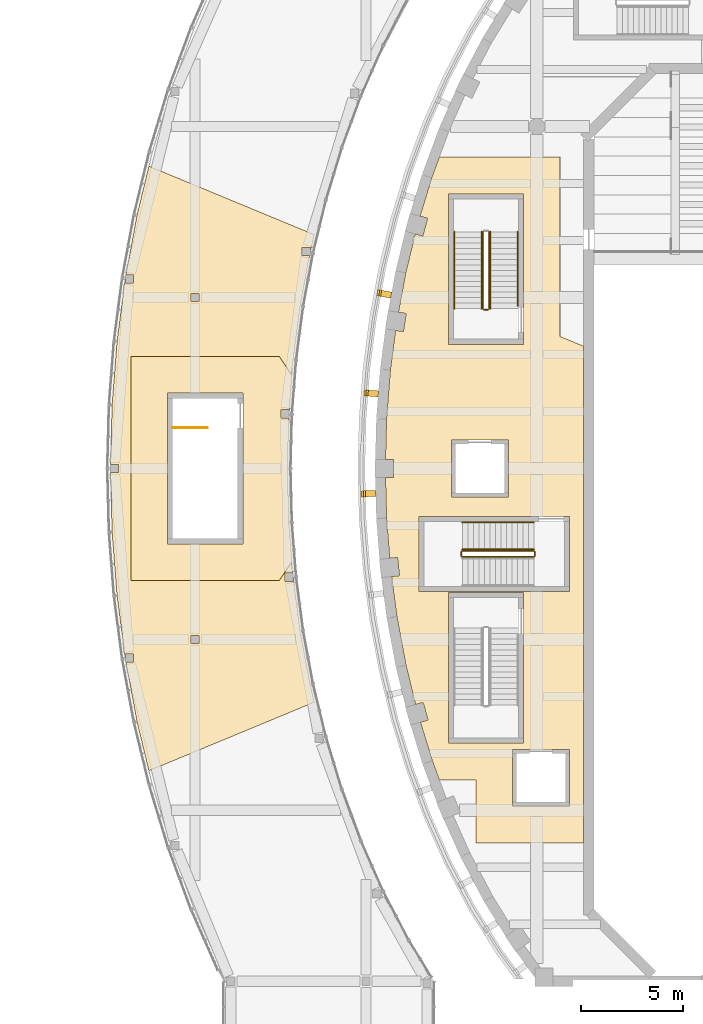
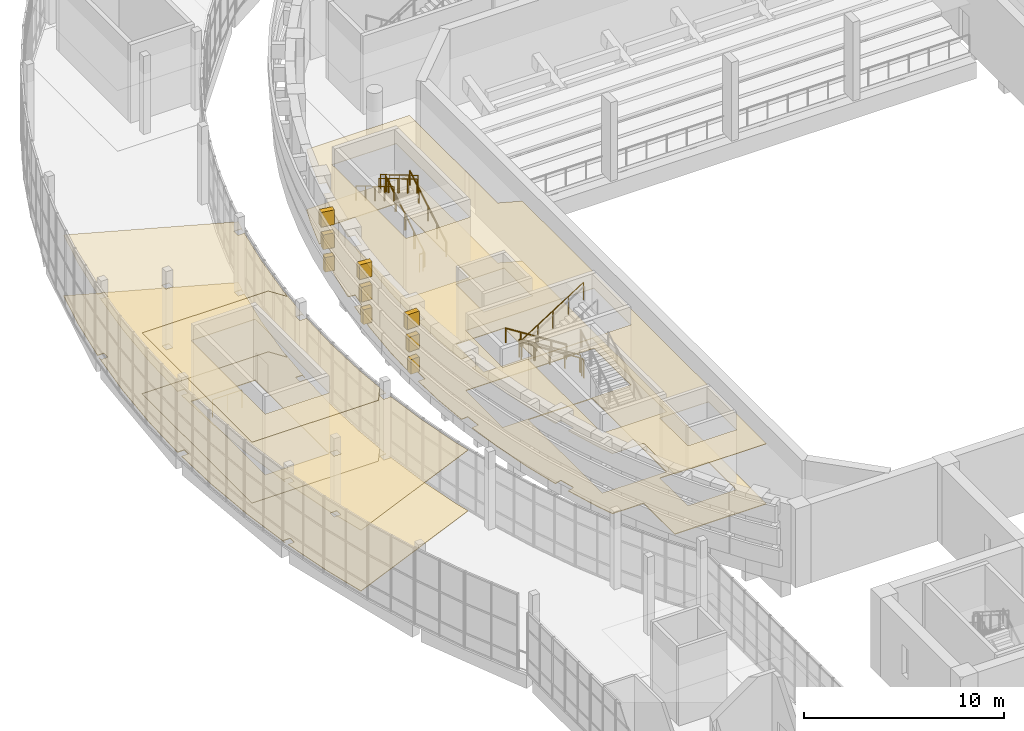
# One storey, part 88 of 103: 15 coverings, 14 railings.
"""IFC4 building model written with IfcOpenShell, lengths in metres."""

from ifc_helpers import new_model, si_unit, direction, frame, origin, origin_2d, place, context, subcontext, project, spatial, polyline, rectangle, circle, outline, extrude, material, layer, layer_set, type_object, element, save


model = new_model("IFC4")

# Units and contexts
model_context = context("Model", 3, precision=1e-05, world=origin(), true_north=direction((0.0, 1.0)))
body_context = subcontext(model_context, "Body", "Model", "MODEL_VIEW")
ifc_project = project(units=[si_unit("LENGTHUNIT", "METRE"), si_unit("AREAUNIT", "SQUARE_METRE"), si_unit("VOLUMEUNIT", "CUBIC_METRE"), si_unit("PLANEANGLEUNIT", "RADIAN"), si_unit("MASSUNIT", "GRAM", prefix="KILO")], contexts=[model_context])

# Site, building, storey
site_placement = place(None, origin())
site = spatial("IfcSite", under=ifc_project, at=site_placement, CompositionType="ELEMENT")
building_placement = place(site_placement, origin())
building = spatial("IfcBuilding", under=site, at=building_placement, Name="Larchfold Concert Hall", CompositionType="ELEMENT")
storey_placement = place(building_placement, frame((0.0, 0.0, 9.60009765625)))
storey = spatial("IfcBuildingStorey", under=building, at=storey_placement, Name="L02", CompositionType="ELEMENT", Elevation=9.60009765625)

# Coverings
ifc_material_1 = material(Name="Plasterboard ceiling lining")
ifc_layer_1 = layer(ifc_material_1, 0.030029296875)
ifc_layer_set_1 = layer_set([ifc_layer_1], Name="Plasterboard ceiling lining")
covering_type_1 = type_object("IfcCoveringType", Name="Ceiling suspended plasterboard 30", PredefinedType="CEILING", material=ifc_layer_set_1)
covering_1_placement = place(storey_placement, frame((0.0, 0.0, 3.669921875)))
element("IfcCovering", 1, at=covering_1_placement, inside=storey, type_object=covering_type_1, Name="Ceiling Hall Foyer West", PredefinedType="CEILING", context=body_context, shape_type="SweptSolid", body=[
    extrude(outline(polyline([(18.413330078125, 82.164794921875), (18.568359375, 80.18505859375), (18.954345703125, 80.225341796875), (19.048095703125, 79.330322265625), (18.662109375, 79.289794921875), (18.92138671875, 77.321533203125), (19.36767578125, 74.9306640625), (19.839599609375, 72.99951171875), (20.212890625, 73.101806640625), (20.451171875, 72.234130859375), (20.078125, 72.131591796875), (20.658447265625, 70.23486328125), (21.005859375, 69.301025390625), (22.7919921875, 69.301025390625), (22.79931640625, 69.296630859375), (22.801025390625, 66.200927734375), (28.10009765625, 66.200927734375), (28.10009765625, 90.60595703125), (26.954833984375, 91.08056640625), (26.948974609375, 91.088623046875), (26.948974609375, 99.899169921875), (21.006103515625, 99.899169921875), (20.629638671875, 98.88037109375), (20.057373046875, 96.996337890625), (20.4306640625, 96.89453125), (20.19384765625, 96.0263671875), (19.8203125, 96.128173828125), (19.355712890625, 94.21435546875), (18.996337890625, 92.276611328125), (19.37939453125, 92.216064453125), (19.239013671875, 91.3271484375), (18.85595703125, 91.3876953125), (18.600341796875, 89.433837890625), (18.41259765625, 87.020263671875), (18.36181640625, 85.050048828125), (18.75, 85.050048828125), (18.75, 84.150146484375), (18.36181640625, 84.150146484375), (18.413330078125, 82.164794921875)]), holes=[polyline([(20.0, 78.550048828125), (20.0, 82.25), (27.39990234375, 82.25), (27.39990234375, 78.550048828125), (20.0, 78.550048828125)]), polyline([(24.60009765625, 68.0), (24.60009765625, 70.800048828125), (27.39990234375, 70.800048828125), (27.39990234375, 68.0), (24.60009765625, 68.0)]), polyline([(21.449951171875, 71.10009765625), (21.449951171875, 78.5), (25.14990234375, 78.5), (25.14990234375, 71.10009765625), (21.449951171875, 71.10009765625)]), polyline([(21.449951171875, 90.699951171875), (21.449951171875, 98.10009765625), (25.14990234375, 98.10009765625), (25.14990234375, 90.699951171875), (21.449951171875, 90.699951171875)]), polyline([(21.60009765625, 83.199951171875), (21.60009765625, 86.0), (24.39990234375, 86.0), (24.39990234375, 83.199951171875), (21.60009765625, 83.199951171875)])]), origin(), (0.0, 0.0, 1.0), 0.030029296875),
])
covering_2_placement = place(storey_placement, frame((0.0, 0.0, 3.719970703125)))
element("IfcCovering", 2, at=covering_2_placement, inside=storey, type_object=covering_type_1, Name="Ceiling Winter Garden Foyer West", PredefinedType="CEILING", context=body_context, shape_type="SweptSolid", body=[
    extrude(outline(polyline([(5.168212890625, 78.366455078125), (5.572998046875, 75.2734375), (5.572998046875, 75.489990234375), (5.972900390625, 75.489990234375), (5.972900390625, 75.090087890625), (5.606201171875, 75.090087890625), (6.1494140625, 72.16064453125), (6.736572265625, 69.742919921875), (14.870849609375, 73.1142578125), (14.66015625, 73.9814453125), (14.17138671875, 76.616455078125), (13.824951171875, 79.269775390625), (13.824951171875, 79.05712890625), (13.425048828125, 79.05712890625), (13.425048828125, 79.45703125), (13.800537109375, 79.45703125), (13.732177734375, 79.980712890625), (13.14111328125, 79.099853515625), (5.8505859375, 79.10595703125), (5.8505859375, 90.093994140625), (13.14111328125, 90.10009765625), (13.732177734375, 89.219482421875), (14.17138671875, 92.583740234375), (14.632568359375, 95.070068359375), (14.26708984375, 95.070068359375), (14.26708984375, 95.469970703125), (14.6669921875, 95.469970703125), (14.6669921875, 95.2470703125), (14.870849609375, 96.0859375), (6.736083984375, 99.455322265625), (6.1494140625, 97.03955078125), (5.606201171875, 94.11083984375), (5.972900390625, 94.11083984375), (5.972900390625, 93.7109375), (5.572998046875, 93.7109375), (5.572998046875, 93.9267578125), (5.168212890625, 90.833740234375), (4.92626953125, 87.71826171875), (4.850830078125, 84.800048828125), (5.245849609375, 84.800048828125), (5.245849609375, 84.400146484375), (4.850830078125, 84.400146484375), (4.92626953125, 81.48193359375), (5.168212890625, 78.366455078125)]), holes=[polyline([(9.199951171875, 76.0), (8.800048828125, 76.0), (8.800048828125, 76.39990234375), (9.199951171875, 76.39990234375), (9.199951171875, 76.0)]), polyline([(9.199951171875, 92.800048828125), (8.800048828125, 92.800048828125), (8.800048828125, 93.199951171875), (9.199951171875, 93.199951171875), (9.199951171875, 92.800048828125)])]), origin(), (0.0, 0.0, 1.0), 0.030029296875),
])
covering_3_placement = place(storey_placement, frame((0.0, 0.0, 3.719970703125)))
element("IfcCovering", 3, at=covering_3_placement, inside=storey, type_object=covering_type_1, Name="Ceiling Foyer 06", PredefinedType="CEILING", context=body_context, shape_type="SweptSolid", body=[
    extrude(outline(polyline([(5.850830078125, 90.09912109375), (5.850830078125, 79.100830078125), (13.149169921875, 79.100830078125), (13.732177734375, 79.980712890625), (13.77685546875, 79.66796875), (13.79345703125, 79.669677734375), (13.617431640625, 81.93115234375), (13.548583984375, 84.60009765625), (13.61279296875, 87.088134765625), (13.218017578125, 87.088134765625), (13.218017578125, 87.488037109375), (13.617919921875, 87.488037109375), (13.617919921875, 87.27587890625), (13.79345703125, 89.5302734375), (13.77685546875, 89.5322265625), (13.732177734375, 89.219482421875), (13.149169921875, 90.09912109375), (5.850830078125, 90.09912109375)]), holes=[polyline([(7.64990234375, 80.89990234375), (7.64990234375, 88.300048828125), (11.35009765625, 88.300048828125), (11.35009765625, 80.89990234375), (7.64990234375, 80.89990234375)])]), origin(), (0.0, 0.0, 1.0), 0.030029296875),
])
ifc_material_2 = material(Name="Polished terrazzo")
ifc_layer_2 = layer(ifc_material_2, 0.0400390625)
ifc_layer_set_2 = layer_set([ifc_layer_2], Name="Polished terrazzo")
covering_type_2 = type_object("IfcCoveringType", Name="Floor finish terrazzo 40", PredefinedType="FLOORING", material=ifc_layer_set_2)
covering_4_placement = place(storey_placement, origin())
element("IfcCovering", 4, at=covering_4_placement, inside=storey, type_object=covering_type_2, Name="Floor finish Hall Foyer West", PredefinedType="FLOORING", context=body_context, shape_type="SweptSolid", body=[
    extrude(outline(polyline([(18.413330078125, 82.164794921875), (18.568359375, 80.18505859375), (18.954345703125, 80.225341796875), (19.048095703125, 79.330322265625), (18.662109375, 79.289794921875), (18.92138671875, 77.321533203125), (19.36767578125, 74.9306640625), (19.839599609375, 72.99951171875), (20.212890625, 73.101806640625), (20.451171875, 72.234130859375), (20.078125, 72.131591796875), (20.658447265625, 70.23486328125), (21.005859375, 69.301025390625), (22.7919921875, 69.301025390625), (22.79931640625, 69.296630859375), (22.801025390625, 66.200927734375), (28.10009765625, 66.200927734375), (28.10009765625, 90.60595703125), (26.954833984375, 91.08056640625), (26.948974609375, 91.088623046875), (26.948974609375, 99.899169921875), (21.006103515625, 99.899169921875), (20.629638671875, 98.88037109375), (20.057373046875, 96.996337890625), (20.4306640625, 96.89453125), (20.19384765625, 96.0263671875), (19.8203125, 96.128173828125), (19.355712890625, 94.21435546875), (18.996337890625, 92.276611328125), (19.37939453125, 92.216064453125), (19.239013671875, 91.3271484375), (18.85595703125, 91.3876953125), (18.600341796875, 89.433837890625), (18.41259765625, 87.020263671875), (18.36181640625, 85.050048828125), (18.75, 85.050048828125), (18.75, 84.150146484375), (18.36181640625, 84.150146484375), (18.413330078125, 82.164794921875)]), holes=[polyline([(20.0, 78.550048828125), (20.0, 82.25), (27.39990234375, 82.25), (27.39990234375, 78.550048828125), (20.0, 78.550048828125)]), polyline([(24.60009765625, 68.0), (24.60009765625, 70.800048828125), (27.39990234375, 70.800048828125), (27.39990234375, 68.0), (24.60009765625, 68.0)]), polyline([(21.449951171875, 71.10009765625), (21.449951171875, 78.5), (25.14990234375, 78.5), (25.14990234375, 71.10009765625), (21.449951171875, 71.10009765625)]), polyline([(21.449951171875, 90.699951171875), (21.449951171875, 98.10009765625), (25.14990234375, 98.10009765625), (25.14990234375, 90.699951171875), (21.449951171875, 90.699951171875)]), polyline([(21.60009765625, 83.199951171875), (21.60009765625, 86.0), (24.39990234375, 86.0), (24.39990234375, 83.199951171875), (21.60009765625, 83.199951171875)])]), origin(), (0.0, 0.0, 1.0), 0.0400390625),
])
covering_5_placement = place(storey_placement, origin())
element("IfcCovering", 5, at=covering_5_placement, inside=storey, type_object=covering_type_2, Name="Floor finish Winter Garden Foyer West", PredefinedType="FLOORING", context=body_context, shape_type="SweptSolid", body=[
    extrude(outline(polyline([(5.168212890625, 78.366455078125), (5.572998046875, 75.2734375), (5.572998046875, 75.489990234375), (5.972900390625, 75.489990234375), (5.972900390625, 75.090087890625), (5.606201171875, 75.090087890625), (6.1494140625, 72.16064453125), (6.736572265625, 69.742919921875), (14.870849609375, 73.1142578125), (14.66015625, 73.9814453125), (14.17138671875, 76.616455078125), (13.824951171875, 79.269775390625), (13.824951171875, 79.05712890625), (13.425048828125, 79.05712890625), (13.425048828125, 79.45703125), (13.800537109375, 79.45703125), (13.732177734375, 79.980712890625), (13.14111328125, 79.099853515625), (5.8505859375, 79.10595703125), (5.8505859375, 90.093994140625), (13.14111328125, 90.10009765625), (13.732177734375, 89.219482421875), (14.17138671875, 92.583740234375), (14.632568359375, 95.070068359375), (14.26708984375, 95.070068359375), (14.26708984375, 95.469970703125), (14.6669921875, 95.469970703125), (14.6669921875, 95.2470703125), (14.870849609375, 96.0859375), (6.736083984375, 99.455322265625), (6.1494140625, 97.03955078125), (5.606201171875, 94.11083984375), (5.972900390625, 94.11083984375), (5.972900390625, 93.7109375), (5.572998046875, 93.7109375), (5.572998046875, 93.9267578125), (5.168212890625, 90.833740234375), (4.92626953125, 87.71826171875), (4.850830078125, 84.800048828125), (5.245849609375, 84.800048828125), (5.245849609375, 84.400146484375), (4.850830078125, 84.400146484375), (4.92626953125, 81.48193359375), (5.168212890625, 78.366455078125)]), holes=[polyline([(9.199951171875, 76.0), (8.800048828125, 76.0), (8.800048828125, 76.39990234375), (9.199951171875, 76.39990234375), (9.199951171875, 76.0)]), polyline([(9.199951171875, 92.800048828125), (8.800048828125, 92.800048828125), (8.800048828125, 93.199951171875), (9.199951171875, 93.199951171875), (9.199951171875, 92.800048828125)])]), origin(), (0.0, 0.0, 1.0), 0.0400390625),
])
covering_6_placement = place(storey_placement, origin())
element("IfcCovering", 6, at=covering_6_placement, inside=storey, type_object=covering_type_2, Name="Floor finish Foyer 06", PredefinedType="FLOORING", context=body_context, shape_type="SweptSolid", body=[
    extrude(outline(polyline([(5.850830078125, 90.09912109375), (5.850830078125, 79.100830078125), (13.149169921875, 79.100830078125), (13.732177734375, 79.980712890625), (13.77685546875, 79.66796875), (13.79345703125, 79.669677734375), (13.617431640625, 81.93115234375), (13.548583984375, 84.60009765625), (13.61279296875, 87.088134765625), (13.218017578125, 87.088134765625), (13.218017578125, 87.488037109375), (13.617919921875, 87.488037109375), (13.617919921875, 87.27587890625), (13.79345703125, 89.5302734375), (13.77685546875, 89.5322265625), (13.732177734375, 89.219482421875), (13.149169921875, 90.09912109375), (5.850830078125, 90.09912109375)]), holes=[polyline([(7.64990234375, 80.89990234375), (7.64990234375, 88.300048828125), (11.35009765625, 88.300048828125), (11.35009765625, 80.89990234375), (7.64990234375, 80.89990234375)])]), origin(), (0.0, 0.0, 1.0), 0.0400390625),
])
ifc_material_3 = material(Name="Galvanised steel bracket", Category="steel")
ifc_layer_3 = layer(ifc_material_3, 0.300048828125)
ifc_layer_set_3 = layer_set([ifc_layer_3], Name="Galvanised steel bracket")
covering_type_3 = type_object("IfcCoveringType", Name="Ring support bracket", PredefinedType="CLADDING", material=ifc_layer_set_3)
for number, where, z_axis, x_axis, name in (
    (7, (18.3974609375, 93.160888671875, 1.349853515625), (0.0, 0.0, 1.0), (-0.983231690727, 0.182360747833, 0.0), "Ring bracket BR-R03-18"),
    (8, (17.7587890625, 88.28515625, 1.349853515625), (0.0, 0.0, 1.0), (-0.996990162785, 0.077528158171, 0.0), "Ring bracket BR-R03-19"),
    (9, (17.632080078125, 83.363037109375, 1.349853515625), (0.0, 0.0, 1.0), (-0.999665014874, -0.025881615792, 0.0), "Ring bracket BR-R03-20"),
):
    element("IfcCovering", number, at=place(storey_placement, frame(where, z_axis=z_axis, x_axis=x_axis)), inside=storey, type_object=covering_type_3, Name=name, PredefinedType="CLADDING", context=body_context, shape_type="SweptSolid", body=[
        extrude(rectangle(XDim=0.5, YDim=0.300048828125, at=origin_2d()), origin(), (0.0, 0.0, 1.0), 0.89990234375),
    ])
for number, where, z_axis, x_axis, name in (
    (10, (18.348388671875, 93.169921875, 2.75), (0.0, 0.0, 1.0), (-0.983231690727, 0.182360747833, 0.0), "Ring bracket BR-R04-18"),
    (11, (17.708740234375, 88.2890625, 2.75), (0.0, 0.0, 1.0), (-0.996990162785, 0.077528158171, 0.0), "Ring bracket BR-R04-19"),
    (12, (17.58203125, 83.36181640625, 2.75), (0.0, 0.0, 1.0), (-0.999665014874, -0.025881615792, 0.0), "Ring bracket BR-R04-20"),
):
    element("IfcCovering", number, at=place(storey_placement, frame(where, z_axis=z_axis, x_axis=x_axis)), inside=storey, type_object=covering_type_3, Name=name, PredefinedType="CLADDING", context=body_context, shape_type="SweptSolid", body=[
        extrude(rectangle(XDim=0.60009765625, YDim=0.300048828125, at=origin_2d()), origin(), (0.0, 0.0, 1.0), 0.89990234375),
    ])
for number, where, z_axis, x_axis, name in (
    (13, (18.299072265625, 93.178955078125, 4.14990234375), (0.0, 0.0, 1.0), (-0.983231690727, 0.182360747833, 0.0), "Ring bracket BR-R05-18"),
    (14, (17.658935546875, 88.29296875, 4.14990234375), (0.0, 0.0, 1.0), (-0.996990162785, 0.077528158171, 0.0), "Ring bracket BR-R05-19"),
    (15, (17.531982421875, 83.3603515625, 4.14990234375), (0.0, 0.0, 1.0), (-0.999665014874, -0.025881615792, 0.0), "Ring bracket BR-R05-20"),
):
    element("IfcCovering", number, at=place(storey_placement, frame(where, z_axis=z_axis, x_axis=x_axis)), inside=storey, type_object=covering_type_3, Name=name, PredefinedType="CLADDING", context=body_context, shape_type="SweptSolid", body=[
        extrude(rectangle(XDim=0.699951171875, YDim=0.300048828125, at=origin_2d()), origin(), (0.0, 0.0, 1.0), 0.89990234375),
    ])

# Railings
ifc_material_4 = material(Name="Stainless steel balustrade", Category="steel")
railing_type_1 = type_object("IfcRailingType", Name="Stair guard 1100", PredefinedType="GUARDRAIL", material=ifc_material_4)
railing_1_placement = place(storey_placement, frame((23.449951171875, 92.449951171875, 0.159912109375)))
element("IfcRailing", 16, at=railing_1_placement, inside=storey, type_object=railing_type_1, Name="Guard GR0016", PredefinedType="GUARDRAIL", context=body_context, shape_type="SweptSolid", body=[
    extrude(circle(Radius=0.02392578125, at=origin_2d()), frame((0.0, 0.0, 1.076171875), z_axis=(0.0, 0.860294241299, 0.509797821089), x_axis=(-1.0, 0.0, 0.0)), (0.0, 0.0, 1.0), 4.393798828125),
    extrude(circle(Radius=0.02099609375, at=origin_2d()), origin(), (0.0, 0.0, 1.0), 1.052001953125),
    extrude(circle(Radius=0.02099609375, at=origin_2d()), frame((0.0, 0.945068359375, 0.56005859375)), (0.0, 0.0, 1.0), 1.052001953125),
    extrude(circle(Radius=0.02099609375, at=origin_2d()), frame((0.0, 1.89013671875, 1.1201171875)), (0.0, 0.0, 1.0), 1.052001953125),
    extrude(circle(Radius=0.02099609375, at=origin_2d()), frame((0.0, 2.8349609375, 1.679931640625)), (0.0, 0.0, 1.0), 1.052001953125),
    extrude(circle(Radius=0.02099609375, at=origin_2d()), frame((0.0, 3.780029296875, 2.239990234375)), (0.0, 0.0, 1.0), 1.052001953125),
])
railing_2_placement = place(storey_placement, frame((23.14990234375, 96.22998046875, 2.559814453125)))
element("IfcRailing", 17, at=railing_2_placement, inside=storey, type_object=railing_type_1, Name="Guard GR0018", PredefinedType="GUARDRAIL", context=body_context, shape_type="SweptSolid", body=[
    extrude(circle(Radius=0.02392578125, at=origin_2d()), frame((0.0, 0.0, 1.076171875), z_axis=(0.0, -0.860294241299, 0.509797821089), x_axis=(1.0, 0.0, 0.0)), (0.0, 0.0, 1.0), 4.393798828125),
    extrude(circle(Radius=0.02099609375, at=origin_2d()), origin(), (0.0, 0.0, 1.0), 1.052001953125),
    extrude(circle(Radius=0.02099609375, at=origin_2d()), frame((0.0, -0.945068359375, 0.56005859375)), (0.0, 0.0, 1.0), 1.052001953125),
    extrude(circle(Radius=0.02099609375, at=origin_2d()), frame((0.0, -1.89013671875, 1.1201171875)), (0.0, 0.0, 1.0), 1.052001953125),
    extrude(circle(Radius=0.02099609375, at=origin_2d()), frame((0.0, -2.8349609375, 1.679931640625)), (0.0, 0.0, 1.0), 1.052001953125),
    extrude(circle(Radius=0.02099609375, at=origin_2d()), frame((0.0, -3.780029296875, 2.239990234375)), (0.0, 0.0, 1.0), 1.052001953125),
])
railing_3_placement = place(storey_placement, frame((23.39990234375, 92.39990234375, 0.0)))
element("IfcRailing", 18, at=railing_3_placement, inside=storey, type_object=railing_type_1, Name="Guard GR0019", PredefinedType="GUARDRAIL", context=body_context, shape_type="SweptSolid", body=[
    extrude(circle(Radius=0.02392578125, at=origin_2d()), frame((0.0, 0.0, 1.076171875), z_axis=(-1.0, 0.0, 0.0), x_axis=(0.0, -1.0, 0.0)), (0.0, 0.0, 1.0), 0.199951171875),
    extrude(circle(Radius=0.02099609375, at=origin_2d()), origin(), (0.0, 0.0, 1.0), 1.052001953125),
    extrude(circle(Radius=0.02099609375, at=origin_2d()), frame((-0.199951171875, 0.0, 0.0)), (0.0, 0.0, 1.0), 1.052001953125),
])
railing_4_placement = place(storey_placement, frame((25.64990234375, 80.550048828125, 0.17138671875)))
element("IfcRailing", 19, at=railing_4_placement, inside=storey, type_object=railing_type_1, Name="Guard GR0028", PredefinedType="GUARDRAIL", context=body_context, shape_type="SweptSolid", body=[
    extrude(circle(Radius=0.02392578125, at=origin_2d()), frame((0.0, 0.0, 1.076171875), z_axis=(-0.844219563411, 0.0, 0.53599750816), x_axis=(0.0, -1.0, 0.0)), (0.0, 0.0, 1.0), 4.15771484375),
    extrude(circle(Radius=0.02099609375, at=origin_2d()), origin(), (0.0, 0.0, 1.0), 1.052001953125),
    extrude(circle(Radius=0.02099609375, at=origin_2d()), frame((-0.87744140625, 0.0, 0.55712890625)), (0.0, 0.0, 1.0), 1.052001953125),
    extrude(circle(Radius=0.02099609375, at=origin_2d()), frame((-1.7548828125, 0.0, 1.1142578125)), (0.0, 0.0, 1.0), 1.052001953125),
    extrude(circle(Radius=0.02099609375, at=origin_2d()), frame((-2.632568359375, 0.0, 1.67138671875)), (0.0, 0.0, 1.0), 1.052001953125),
    extrude(circle(Radius=0.02099609375, at=origin_2d()), frame((-3.510009765625, 0.0, 2.228515625)), (0.0, 0.0, 1.0), 1.052001953125),
])
railing_5_placement = place(storey_placement, frame((22.08984375, 80.5, 2.39990234375)))
element("IfcRailing", 20, at=railing_5_placement, inside=storey, type_object=railing_type_1, Name="Guard GR0029", PredefinedType="GUARDRAIL", context=body_context, shape_type="SweptSolid", body=[
    extrude(circle(Radius=0.02392578125, at=origin_2d()), frame((0.0, 0.0, 1.076171875), z_axis=(0.0, -1.0, 0.0), x_axis=(1.0, 0.0, 0.0)), (0.0, 0.0, 1.0), 0.199951171875),
    extrude(circle(Radius=0.02099609375, at=origin_2d()), origin(), (0.0, 0.0, 1.0), 1.052001953125),
    extrude(circle(Radius=0.02099609375, at=origin_2d()), frame((0.0, -0.199951171875, 0.0)), (0.0, 0.0, 1.0), 1.052001953125),
])
railing_6_placement = place(storey_placement, frame((22.139892578125, 80.25, 2.5712890625)))
element("IfcRailing", 21, at=railing_6_placement, inside=storey, type_object=railing_type_1, Name="Guard GR0030", PredefinedType="GUARDRAIL", context=body_context, shape_type="SweptSolid", body=[
    extrude(circle(Radius=0.02392578125, at=origin_2d()), frame((0.0, 0.0, 1.076171875), z_axis=(0.844219563411, 0.0, 0.53599750816), x_axis=(0.0, 1.0, 0.0)), (0.0, 0.0, 1.0), 4.15771484375),
    extrude(circle(Radius=0.02099609375, at=origin_2d()), origin(), (0.0, 0.0, 1.0), 1.052001953125),
    extrude(circle(Radius=0.02099609375, at=origin_2d()), frame((0.87744140625, 0.0, 0.55712890625)), (0.0, 0.0, 1.0), 1.052001953125),
    extrude(circle(Radius=0.02099609375, at=origin_2d()), frame((1.7548828125, 0.0, 1.1142578125)), (0.0, 0.0, 1.0), 1.052001953125),
    extrude(circle(Radius=0.02099609375, at=origin_2d()), frame((2.632568359375, 0.0, 1.67138671875)), (0.0, 0.0, 1.0), 1.052001953125),
    extrude(circle(Radius=0.02099609375, at=origin_2d()), frame((3.510009765625, 0.0, 2.228515625)), (0.0, 0.0, 1.0), 1.052001953125),
])
railing_7_placement = place(storey_placement, frame((25.699951171875, 80.5, 0.0)))
element("IfcRailing", 22, at=railing_7_placement, inside=storey, type_object=railing_type_1, Name="Guard GR0031", PredefinedType="GUARDRAIL", context=body_context, shape_type="SweptSolid", body=[
    extrude(circle(Radius=0.02392578125, at=origin_2d()), frame((0.0, 0.0, 1.076171875), z_axis=(0.0, -1.0, 0.0), x_axis=(1.0, 0.0, 0.0)), (0.0, 0.0, 1.0), 0.199951171875),
    extrude(circle(Radius=0.02099609375, at=origin_2d()), origin(), (0.0, 0.0, 1.0), 1.052001953125),
    extrude(circle(Radius=0.02099609375, at=origin_2d()), frame((0.0, -0.199951171875, 0.0)), (0.0, 0.0, 1.0), 1.052001953125),
])
railing_8_placement = place(storey_placement, frame((7.89990234375, 86.60009765625, 0.0)))
element("IfcRailing", 23, at=railing_8_placement, inside=storey, type_object=railing_type_1, Name="Guard GR0085", PredefinedType="GUARDRAIL", context=body_context, shape_type="SweptSolid", body=[
    extrude(circle(Radius=0.02392578125, at=origin_2d()), frame((0.0, 0.0, 1.076171875), z_axis=(1.0, 0.0, 0.0), x_axis=(0.0, 1.0, 0.0)), (0.0, 0.0, 1.0), 1.699951171875),
    extrude(circle(Radius=0.02099609375, at=origin_2d()), origin(), (0.0, 0.0, 1.0), 1.052001953125),
    extrude(circle(Radius=0.02099609375, at=origin_2d()), frame((0.85009765625, 0.0, 0.0)), (0.0, 0.0, 1.0), 1.052001953125),
    extrude(circle(Radius=0.02099609375, at=origin_2d()), frame((1.699951171875, 0.0, 0.0)), (0.0, 0.0, 1.0), 1.052001953125),
])
ifc_material_5 = material(Name="Stainless steel handrail", Category="steel")
railing_type_2 = type_object("IfcRailingType", Name="Stair handrail 900", PredefinedType="HANDRAIL", material=ifc_material_5)
railing_9_placement = place(storey_placement, frame((24.849853515625, 92.60009765625, 0.248779296875)))
element("IfcRailing", 24, at=railing_9_placement, inside=storey, type_object=railing_type_2, Name="Handrail HR0013", PredefinedType="HANDRAIL", context=body_context, shape_type="SweptSolid", body=[
    extrude(circle(Radius=0.02392578125, at=origin_2d()), frame((0.0, 0.0, 0.8759765625), z_axis=(0.0, 0.860283074592, 0.509816664665), x_axis=(-1.0, 0.0, 0.0)), (0.0, 0.0, 1.0), 4.219482421875),
    extrude(circle(Radius=0.02099609375, at=origin_2d()), origin(), (0.0, 0.0, 1.0), 0.851806640625),
    extrude(circle(Radius=0.02099609375, at=origin_2d()), frame((0.0, 0.907470703125, 0.537841796875)), (0.0, 0.0, 1.0), 0.851806640625),
    extrude(circle(Radius=0.02099609375, at=origin_2d()), frame((0.0, 1.81494140625, 1.07568359375)), (0.0, 0.0, 1.0), 0.851806640625),
    extrude(circle(Radius=0.02099609375, at=origin_2d()), frame((0.0, 2.722412109375, 1.61328125)), (0.0, 0.0, 1.0), 0.851806640625),
    extrude(circle(Radius=0.02099609375, at=origin_2d()), frame((0.0, 3.6298828125, 2.151123046875)), (0.0, 0.0, 1.0), 0.851806640625),
])
railing_10_placement = place(storey_placement, frame((21.75, 96.22998046875, 2.559814453125)))
element("IfcRailing", 25, at=railing_10_placement, inside=storey, type_object=railing_type_2, Name="Handrail HR0014", PredefinedType="HANDRAIL", context=body_context, shape_type="SweptSolid", body=[
    extrude(circle(Radius=0.02392578125, at=origin_2d()), frame((0.0, 0.0, 0.8759765625), z_axis=(0.0, -0.860294241299, 0.509797821089), x_axis=(1.0, 0.0, 0.0)), (0.0, 0.0, 1.0), 4.393798828125),
    extrude(circle(Radius=0.02099609375, at=origin_2d()), origin(), (0.0, 0.0, 1.0), 0.851806640625),
    extrude(circle(Radius=0.02099609375, at=origin_2d()), frame((0.0, -0.945068359375, 0.56005859375)), (0.0, 0.0, 1.0), 0.851806640625),
    extrude(circle(Radius=0.02099609375, at=origin_2d()), frame((0.0, -1.89013671875, 1.1201171875)), (0.0, 0.0, 1.0), 0.851806640625),
    extrude(circle(Radius=0.02099609375, at=origin_2d()), frame((0.0, -2.8349609375, 1.679931640625)), (0.0, 0.0, 1.0), 0.851806640625),
    extrude(circle(Radius=0.02099609375, at=origin_2d()), frame((0.0, -3.780029296875, 2.239990234375)), (0.0, 0.0, 1.0), 0.851806640625),
])
railing_11_placement = place(storey_placement, frame((23.52001953125, 92.449951171875, 0.159912109375)))
element("IfcRailing", 26, at=railing_11_placement, inside=storey, type_object=railing_type_2, Name="Handrail HR0015", PredefinedType="HANDRAIL", context=body_context, shape_type="SweptSolid", body=[
    extrude(circle(Radius=0.02392578125, at=origin_2d()), frame((0.0, 0.0, 0.8759765625), z_axis=(0.0, 0.860294241299, 0.509797821089), x_axis=(-1.0, 0.0, 0.0)), (0.0, 0.0, 1.0), 4.393798828125),
    extrude(circle(Radius=0.02099609375, at=origin_2d()), origin(), (0.0, 0.0, 1.0), 0.851806640625),
    extrude(circle(Radius=0.02099609375, at=origin_2d()), frame((0.0, 0.945068359375, 0.56005859375)), (0.0, 0.0, 1.0), 0.851806640625),
    extrude(circle(Radius=0.02099609375, at=origin_2d()), frame((0.0, 1.89013671875, 1.1201171875)), (0.0, 0.0, 1.0), 0.851806640625),
    extrude(circle(Radius=0.02099609375, at=origin_2d()), frame((0.0, 2.8349609375, 1.679931640625)), (0.0, 0.0, 1.0), 0.851806640625),
    extrude(circle(Radius=0.02099609375, at=origin_2d()), frame((0.0, 3.780029296875, 2.239990234375)), (0.0, 0.0, 1.0), 0.851806640625),
])
railing_12_placement = place(storey_placement, frame((23.079833984375, 96.22998046875, 2.559814453125)))
element("IfcRailing", 27, at=railing_12_placement, inside=storey, type_object=railing_type_2, Name="Handrail HR0016", PredefinedType="HANDRAIL", context=body_context, shape_type="SweptSolid", body=[
    extrude(circle(Radius=0.02392578125, at=origin_2d()), frame((0.0, 0.0, 0.8759765625), z_axis=(0.0, -0.860294241299, 0.509797821089), x_axis=(1.0, 0.0, 0.0)), (0.0, 0.0, 1.0), 4.393798828125),
    extrude(circle(Radius=0.02099609375, at=origin_2d()), origin(), (0.0, 0.0, 1.0), 0.851806640625),
    extrude(circle(Radius=0.02099609375, at=origin_2d()), frame((0.0, -0.945068359375, 0.56005859375)), (0.0, 0.0, 1.0), 0.851806640625),
    extrude(circle(Radius=0.02099609375, at=origin_2d()), frame((0.0, -1.89013671875, 1.1201171875)), (0.0, 0.0, 1.0), 0.851806640625),
    extrude(circle(Radius=0.02099609375, at=origin_2d()), frame((0.0, -2.8349609375, 1.679931640625)), (0.0, 0.0, 1.0), 0.851806640625),
    extrude(circle(Radius=0.02099609375, at=origin_2d()), frame((0.0, -3.780029296875, 2.239990234375)), (0.0, 0.0, 1.0), 0.851806640625),
])
for number, where, name in (
    (28, (25.64990234375, 81.949951171875, 0.17138671875), "Handrail HR0025"),
    (29, (25.64990234375, 80.6201171875, 0.17138671875), "Handrail HR0027"),
):
    element("IfcRailing", number, at=place(storey_placement, frame(where)), inside=storey, type_object=railing_type_2, Name=name, PredefinedType="HANDRAIL", context=body_context, shape_type="SweptSolid", body=[
        extrude(circle(Radius=0.02392578125, at=origin_2d()), frame((0.0, 0.0, 0.8759765625), z_axis=(-0.844219563411, 0.0, 0.53599750816), x_axis=(0.0, -1.0, 0.0)), (0.0, 0.0, 1.0), 4.15771484375),
        extrude(circle(Radius=0.02099609375, at=origin_2d()), origin(), (0.0, 0.0, 1.0), 0.851806640625),
        extrude(circle(Radius=0.02099609375, at=origin_2d()), frame((-0.87744140625, 0.0, 0.55712890625)), (0.0, 0.0, 1.0), 0.851806640625),
        extrude(circle(Radius=0.02099609375, at=origin_2d()), frame((-1.7548828125, 0.0, 1.1142578125)), (0.0, 0.0, 1.0), 0.851806640625),
        extrude(circle(Radius=0.02099609375, at=origin_2d()), frame((-2.632568359375, 0.0, 1.67138671875)), (0.0, 0.0, 1.0), 0.851806640625),
        extrude(circle(Radius=0.02099609375, at=origin_2d()), frame((-3.510009765625, 0.0, 2.228515625)), (0.0, 0.0, 1.0), 0.851806640625),
    ])

save(model, "model.ifc")
